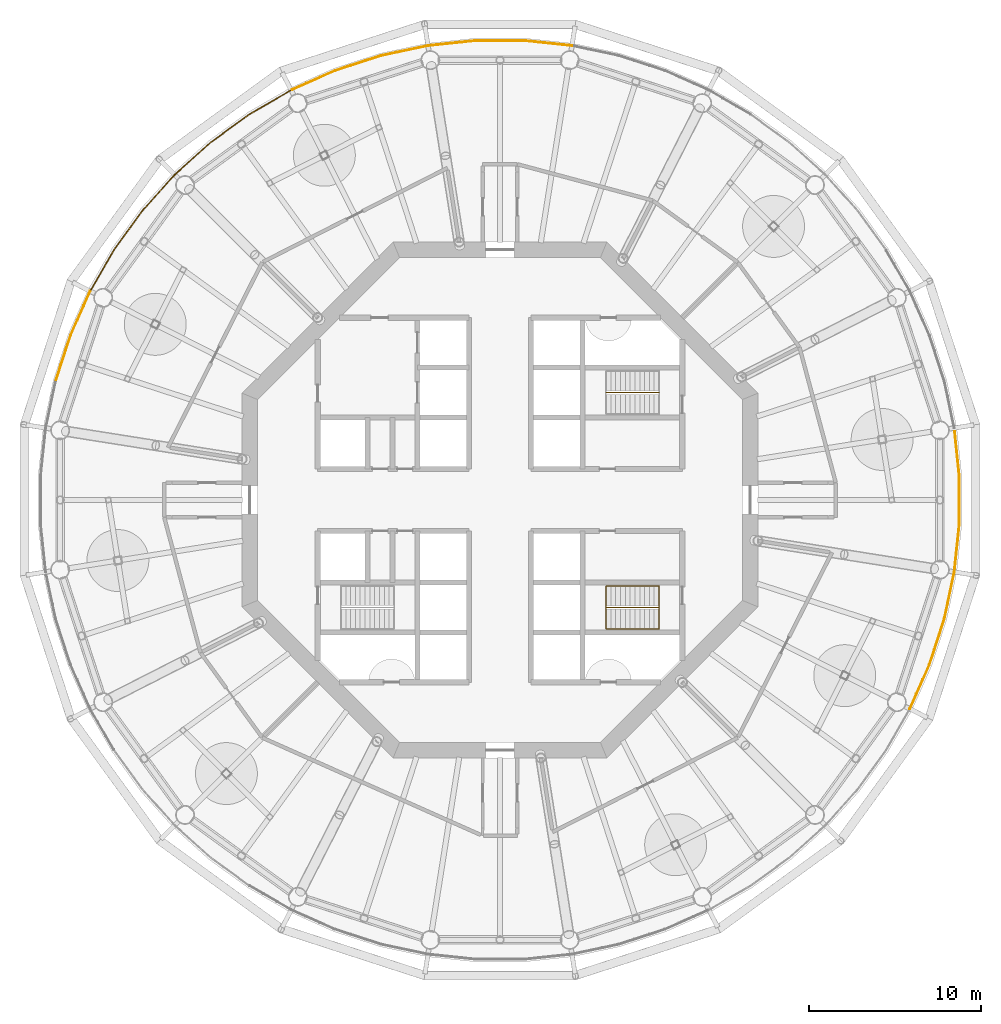
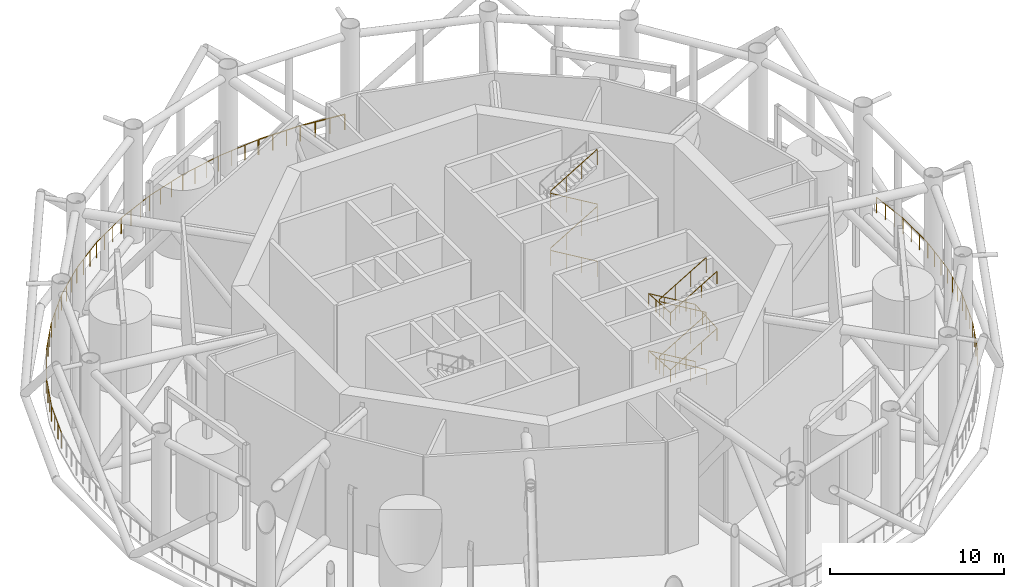
# One storey, part 20 of 22: 13 railings.
"""IFC4 building model written with IfcOpenShell, lengths in metres."""

from ifc_helpers import new_model, si_unit, direction, frame, origin, origin_2d, place, context, subcontext, project, spatial, circle, extrude, material, type_object, element, save


model = new_model("IFC4")

# Units and contexts
model_context = context("Model", 3, precision=1e-05, world=origin(), true_north=direction((0.0, 1.0)))
body_context = subcontext(model_context, "Body", "Model", "MODEL_VIEW")
ifc_project = project(units=[si_unit("LENGTHUNIT", "METRE"), si_unit("AREAUNIT", "SQUARE_METRE"), si_unit("VOLUMEUNIT", "CUBIC_METRE"), si_unit("PLANEANGLEUNIT", "RADIAN"), si_unit("MASSUNIT", "GRAM", prefix="KILO")], contexts=[model_context])

# Site, building, storey
site_placement = place(None, origin())
site = spatial("IfcSite", under=ifc_project, at=site_placement, CompositionType="ELEMENT")
building_placement = place(site_placement, origin())
building = spatial("IfcBuilding", under=site, at=building_placement, Name="Entoto Ring Tower", CompositionType="ELEMENT")
storey_placement = place(building_placement, frame((0.0, 0.0, 230.0)))
storey = spatial("IfcBuildingStorey", under=building, at=storey_placement, Name="L53", CompositionType="ELEMENT", Elevation=230.0)

# Railings
ifc_material_1 = material(Name="Stainless steel 316", Category="steel")
railing_type_1 = type_object("IfcRailingType", Name="Guard 1100 mm steel balustrade, slot floor", PredefinedType="GUARDRAIL", material=ifc_material_1)
railing_1_placement = place(storey_placement, frame((94.1845703125, 106.420654296875, 0.0)))
element("IfcRailing", 1, at=railing_1_placement, inside=storey, type_object=railing_type_1, Name="SLOT FLOOR GUARD 7", PredefinedType="GUARDRAIL", context=body_context, shape_type="SweptSolid", body=[
    extrude(circle(Radius=0.02490234375, at=origin_2d()), frame((0.0, 0.0, 1.0751953125), z_axis=(-0.994520253788, 0.104544080685, 0.0), x_axis=(-0.104544080685, -0.994520253788, 0.0)), (0.0, 0.0, 1.0), 2.800048828125),
    extrude(circle(Radius=0.02490234375, at=origin_2d()), frame((-2.78466796875, 0.292724609375, 1.0751953125), z_axis=(-1.0, 0.0, 0.0), x_axis=(0.0, -1.0, 0.0)), (0.0, 0.0, 1.0), 2.739990234375),
    extrude(circle(Radius=0.02490234375, at=origin_2d()), origin(), (0.0, 0.0, 1.0), 1.050048828125),
    extrude(circle(Radius=0.02490234375, at=origin_2d()), frame((-0.92822265625, 0.09765625, 0.0)), (0.0, 0.0, 1.0), 1.050048828125),
    extrude(circle(Radius=0.02490234375, at=origin_2d()), frame((-1.8564453125, 0.195068359375, 0.0)), (0.0, 0.0, 1.0), 1.050048828125),
    extrude(circle(Radius=0.02490234375, at=origin_2d()), frame((-2.78466796875, 0.292724609375, 0.0)), (0.0, 0.0, 1.0), 1.050048828125),
    extrude(circle(Radius=0.02490234375, at=origin_2d()), frame((-3.697998046875, 0.292724609375, 0.0)), (0.0, 0.0, 1.0), 1.050048828125),
    extrude(circle(Radius=0.02490234375, at=origin_2d()), frame((-4.611328125, 0.292724609375, 0.0)), (0.0, 0.0, 1.0), 1.050048828125),
    extrude(circle(Radius=0.02490234375, at=origin_2d()), frame((-5.524658203125, 0.292724609375, 0.0)), (0.0, 0.0, 1.0), 1.050048828125),
])
railing_2_placement = place(storey_placement, frame((88.60009765625, 106.71337890625, 0.0)))
element("IfcRailing", 2, at=railing_2_placement, inside=storey, type_object=railing_type_1, Name="SLOT FLOOR GUARD 8", PredefinedType="GUARDRAIL", context=body_context, shape_type="SweptSolid", body=[
    extrude(circle(Radius=0.02490234375, at=origin_2d()), frame((0.0, 0.0, 1.0751953125), z_axis=(-0.994520253788, -0.104544080685, 0.0), x_axis=(0.104544080685, -0.994520253788, 0.0)), (0.0, 0.0, 1.0), 2.800048828125),
    extrude(circle(Radius=0.02490234375, at=origin_2d()), frame((-2.78466796875, -0.292724609375, 1.0751953125), z_axis=(-0.978155680503, -0.20787367486, 0.0), x_axis=(0.20787367486, -0.978155680503, 0.0)), (0.0, 0.0, 1.0), 2.739990234375),
    extrude(circle(Radius=0.02490234375, at=origin_2d()), origin(), (0.0, 0.0, 1.0), 1.050048828125),
    extrude(circle(Radius=0.02490234375, at=origin_2d()), frame((-0.92822265625, -0.09765625, 0.0)), (0.0, 0.0, 1.0), 1.050048828125),
    extrude(circle(Radius=0.02490234375, at=origin_2d()), frame((-1.8564453125, -0.195068359375, 0.0)), (0.0, 0.0, 1.0), 1.050048828125),
    extrude(circle(Radius=0.02490234375, at=origin_2d()), frame((-2.78466796875, -0.292724609375, 0.0)), (0.0, 0.0, 1.0), 1.050048828125),
    extrude(circle(Radius=0.02490234375, at=origin_2d()), frame((-3.677978515625, -0.482666015625, 0.0)), (0.0, 0.0, 1.0), 1.050048828125),
    extrude(circle(Radius=0.02490234375, at=origin_2d()), frame((-4.571533203125, -0.67236328125, 0.0)), (0.0, 0.0, 1.0), 1.050048828125),
    extrude(circle(Radius=0.02490234375, at=origin_2d()), frame((-5.46484375, -0.8623046875, 0.0)), (0.0, 0.0, 1.0), 1.050048828125),
])
railing_3_placement = place(storey_placement, frame((83.07666015625, 105.838623046875, 0.0)))
element("IfcRailing", 3, at=railing_3_placement, inside=storey, type_object=railing_type_1, Name="SLOT FLOOR GUARD 9", PredefinedType="GUARDRAIL", context=body_context, shape_type="SweptSolid", body=[
    extrude(circle(Radius=0.02490234375, at=origin_2d()), frame((0.0, 0.0, 1.0751953125), z_axis=(-0.951062257173, -0.308999325213, 0.0), x_axis=(0.308999325213, -0.951062257173, 0.0)), (0.0, 0.0, 1.0), 2.800048828125),
    extrude(circle(Radius=0.02490234375, at=origin_2d()), frame((-2.6630859375, -0.865234375, 1.0751953125), z_axis=(-0.913528388119, -0.406774979688, 0.0), x_axis=(0.406774979688, -0.913528388119, 0.0)), (0.0, 0.0, 1.0), 2.73974609375),
    extrude(circle(Radius=0.02490234375, at=origin_2d()), origin(), (0.0, 0.0, 1.0), 1.050048828125),
    extrude(circle(Radius=0.02490234375, at=origin_2d()), frame((-0.8876953125, -0.288330078125, 0.0)), (0.0, 0.0, 1.0), 1.050048828125),
    extrude(circle(Radius=0.02490234375, at=origin_2d()), frame((-1.775390625, -0.576904296875, 0.0)), (0.0, 0.0, 1.0), 1.050048828125),
    extrude(circle(Radius=0.02490234375, at=origin_2d()), frame((-2.6630859375, -0.865234375, 0.0)), (0.0, 0.0, 1.0), 1.050048828125),
    extrude(circle(Radius=0.02490234375, at=origin_2d()), frame((-3.497314453125, -1.23681640625, 0.0)), (0.0, 0.0, 1.0), 1.050048828125),
    extrude(circle(Radius=0.02490234375, at=origin_2d()), frame((-4.331787109375, -1.608154296875, 0.0)), (0.0, 0.0, 1.0), 1.050048828125),
    extrude(circle(Radius=0.02490234375, at=origin_2d()), frame((-5.166015625, -1.979736328125, 0.0)), (0.0, 0.0, 1.0), 1.050048828125),
])
railing_4_placement = place(storey_placement, frame((77.855712890625, 103.83447265625, 0.0)))
element("IfcRailing", 4, at=railing_4_placement, inside=storey, type_object=railing_type_1, Name="SLOT FLOOR GUARD 10", PredefinedType="GUARDRAIL", context=body_context, shape_type="SweptSolid", body=[
    extrude(circle(Radius=0.02490234375, at=origin_2d()), frame((0.0, 0.0, 1.0751953125), z_axis=(-0.865996816683, -0.500049511043, 0.0), x_axis=(0.500049511043, -0.865996816683, 0.0)), (0.0, 0.0, 1.0), 2.800048828125),
    extrude(circle(Radius=0.02490234375, at=origin_2d()), frame((-2.4248046875, -1.400146484375, 1.0751953125), z_axis=(-0.809059624236, -0.587726572848, 0.0), x_axis=(0.587726572848, -0.809059624236, 0.0)), (0.0, 0.0, 1.0), 2.739990234375),
    extrude(circle(Radius=0.02490234375, at=origin_2d()), origin(), (0.0, 0.0, 1.0), 1.050048828125),
    extrude(circle(Radius=0.02490234375, at=origin_2d()), frame((-0.808349609375, -0.466796875, 0.0)), (0.0, 0.0, 1.0), 1.050048828125),
    extrude(circle(Radius=0.02490234375, at=origin_2d()), frame((-1.616455078125, -0.933349609375, 0.0)), (0.0, 0.0, 1.0), 1.050048828125),
    extrude(circle(Radius=0.02490234375, at=origin_2d()), frame((-2.4248046875, -1.400146484375, 0.0)), (0.0, 0.0, 1.0), 1.050048828125),
    extrude(circle(Radius=0.02490234375, at=origin_2d()), frame((-3.163818359375, -1.93701171875, 0.0)), (0.0, 0.0, 1.0), 1.050048828125),
    extrude(circle(Radius=0.02490234375, at=origin_2d()), frame((-3.902587890625, -2.4736328125, 0.0)), (0.0, 0.0, 1.0), 1.050048828125),
    extrude(circle(Radius=0.02490234375, at=origin_2d()), frame((-4.6416015625, -3.010498046875, 0.0)), (0.0, 0.0, 1.0), 1.050048828125),
])
railing_5_placement = place(storey_placement, frame((73.165771484375, 100.78857421875, 0.0)))
element("IfcRailing", 5, at=railing_5_placement, inside=storey, type_object=railing_type_1, Name="SLOT FLOOR GUARD 11", PredefinedType="GUARDRAIL", context=body_context, shape_type="SweptSolid", body=[
    extrude(circle(Radius=0.02490234375, at=origin_2d()), frame((0.0, 0.0, 1.0751953125), z_axis=(-0.743151054666, -0.66912368808, 0.0), x_axis=(0.66912368808, -0.743151054666, 0.0)), (0.0, 0.0, 1.0), 2.800048828125),
    extrude(circle(Radius=0.02490234375, at=origin_2d()), frame((-2.080810546875, -1.87353515625, 1.0751953125), z_axis=(-0.669161620293, -0.743116899234, 0.0), x_axis=(0.743116899234, -0.669161620293, 0.0)), (0.0, 0.0, 1.0), 2.739990234375),
    extrude(circle(Radius=0.02490234375, at=origin_2d()), origin(), (0.0, 0.0, 1.0), 1.050048828125),
    extrude(circle(Radius=0.02490234375, at=origin_2d()), frame((-0.693603515625, -0.62451171875, 0.0)), (0.0, 0.0, 1.0), 1.050048828125),
    extrude(circle(Radius=0.02490234375, at=origin_2d()), frame((-1.38720703125, -1.2490234375, 0.0)), (0.0, 0.0, 1.0), 1.050048828125),
    extrude(circle(Radius=0.02490234375, at=origin_2d()), frame((-2.080810546875, -1.87353515625, 0.0)), (0.0, 0.0, 1.0), 1.050048828125),
    extrude(circle(Radius=0.02490234375, at=origin_2d()), frame((-2.69189453125, -2.55224609375, 0.0)), (0.0, 0.0, 1.0), 1.050048828125),
    extrude(circle(Radius=0.02490234375, at=origin_2d()), frame((-3.30322265625, -3.23095703125, 0.0)), (0.0, 0.0, 1.0), 1.050048828125),
    extrude(circle(Radius=0.02490234375, at=origin_2d()), frame((-3.914306640625, -3.90966796875, 0.0)), (0.0, 0.0, 1.0), 1.050048828125),
])
railing_6_placement = place(storey_placement, frame((69.21142578125, 96.834228515625, 0.0)))
element("IfcRailing", 6, at=railing_6_placement, inside=storey, type_object=railing_type_1, Name="SLOT FLOOR GUARD 12", PredefinedType="GUARDRAIL", context=body_context, shape_type="SweptSolid", body=[
    extrude(circle(Radius=0.02490234375, at=origin_2d()), frame((0.0, 0.0, 1.0751953125), z_axis=(-0.587793152327, -0.809011254605, 0.0), x_axis=(0.809011254605, -0.587793152327, 0.0)), (0.0, 0.0, 1.0), 2.7998046875),
    extrude(circle(Radius=0.02490234375, at=origin_2d()), frame((-1.645751953125, -2.26513671875, 1.0751953125), z_axis=(-0.500048966069, -0.865997131366, 0.0), x_axis=(0.865997131366, -0.500048966069, 0.0)), (0.0, 0.0, 1.0), 2.739990234375),
    extrude(circle(Radius=0.02490234375, at=origin_2d()), origin(), (0.0, 0.0, 1.0), 1.050048828125),
    extrude(circle(Radius=0.02490234375, at=origin_2d()), frame((-0.548583984375, -0.755126953125, 0.0)), (0.0, 0.0, 1.0), 1.050048828125),
    extrude(circle(Radius=0.02490234375, at=origin_2d()), frame((-1.09716796875, -1.510009765625, 0.0)), (0.0, 0.0, 1.0), 1.050048828125),
    extrude(circle(Radius=0.02490234375, at=origin_2d()), frame((-1.645751953125, -2.26513671875, 0.0)), (0.0, 0.0, 1.0), 1.050048828125),
    extrude(circle(Radius=0.02490234375, at=origin_2d()), frame((-2.1025390625, -3.05615234375, 0.0)), (0.0, 0.0, 1.0), 1.050048828125),
    extrude(circle(Radius=0.02490234375, at=origin_2d()), frame((-2.55908203125, -3.846923828125, 0.0)), (0.0, 0.0, 1.0), 1.050048828125),
    extrude(circle(Radius=0.02490234375, at=origin_2d()), frame((-3.015869140625, -4.637939453125, 0.0)), (0.0, 0.0, 1.0), 1.050048828125),
])
railing_7_placement = place(storey_placement, frame((66.16552734375, 92.144287109375, 0.0)))
element("IfcRailing", 7, at=railing_7_placement, inside=storey, type_object=railing_type_1, Name="SLOT FLOOR GUARD 13", PredefinedType="GUARDRAIL", context=body_context, shape_type="SweptSolid", body=[
    extrude(circle(Radius=0.02490234375, at=origin_2d()), frame((0.0, 0.0, 1.0751953125), z_axis=(-0.406761316386, -0.913534471978, 0.0), x_axis=(0.913534471978, -0.406761316386, 0.0)), (0.0, 0.0, 1.0), 2.800048828125),
    extrude(circle(Radius=0.02490234375, at=origin_2d()), frame((-1.138916015625, -2.557861328125, 1.0751953125), z_axis=(-0.30900145309, -0.951061565824, 0.0), x_axis=(0.951061565824, -0.30900145309, 0.0)), (0.0, 0.0, 1.0), 2.739990234375),
    extrude(circle(Radius=0.02490234375, at=origin_2d()), origin(), (0.0, 0.0, 1.0), 1.050048828125),
    extrude(circle(Radius=0.02490234375, at=origin_2d()), frame((-0.379638671875, -0.8525390625, 0.0)), (0.0, 0.0, 1.0), 1.050048828125),
    extrude(circle(Radius=0.02490234375, at=origin_2d()), frame((-0.75927734375, -1.705322265625, 0.0)), (0.0, 0.0, 1.0), 1.050048828125),
    extrude(circle(Radius=0.02490234375, at=origin_2d()), frame((-1.138916015625, -2.557861328125, 0.0)), (0.0, 0.0, 1.0), 1.050048828125),
    extrude(circle(Radius=0.02490234375, at=origin_2d()), frame((-1.421142578125, -3.426513671875, 0.0)), (0.0, 0.0, 1.0), 1.050048828125),
    extrude(circle(Radius=0.02490234375, at=origin_2d()), frame((-1.703369140625, -4.295166015625, 0.0)), (0.0, 0.0, 1.0), 1.050048828125),
    extrude(circle(Radius=0.02490234375, at=origin_2d()), frame((-1.985595703125, -5.163818359375, 0.0)), (0.0, 0.0, 1.0), 1.050048828125),
])
railing_8_placement = place(storey_placement, frame((113.83447265625, 67.855712890625, 0.0)))
element("IfcRailing", 8, at=railing_8_placement, inside=storey, type_object=railing_type_1, Name="SLOT FLOOR GUARD 28", PredefinedType="GUARDRAIL", context=body_context, shape_type="SweptSolid", body=[
    extrude(circle(Radius=0.02490234375, at=origin_2d()), frame((0.0, 0.0, 1.0751953125), z_axis=(0.406761316386, 0.913534471978, 0.0), x_axis=(-0.913534471978, 0.406761316386, 0.0)), (0.0, 0.0, 1.0), 2.800048828125),
    extrude(circle(Radius=0.02490234375, at=origin_2d()), frame((1.138916015625, 2.557861328125, 1.0751953125), z_axis=(0.30900145309, 0.951061565824, 0.0), x_axis=(-0.951061565824, 0.30900145309, 0.0)), (0.0, 0.0, 1.0), 2.739990234375),
    extrude(circle(Radius=0.02490234375, at=origin_2d()), origin(), (0.0, 0.0, 1.0), 1.050048828125),
    extrude(circle(Radius=0.02490234375, at=origin_2d()), frame((0.379638671875, 0.8525390625, 0.0)), (0.0, 0.0, 1.0), 1.050048828125),
    extrude(circle(Radius=0.02490234375, at=origin_2d()), frame((0.75927734375, 1.705322265625, 0.0)), (0.0, 0.0, 1.0), 1.050048828125),
    extrude(circle(Radius=0.02490234375, at=origin_2d()), frame((1.138916015625, 2.557861328125, 0.0)), (0.0, 0.0, 1.0), 1.050048828125),
    extrude(circle(Radius=0.02490234375, at=origin_2d()), frame((1.421142578125, 3.426513671875, 0.0)), (0.0, 0.0, 1.0), 1.050048828125),
    extrude(circle(Radius=0.02490234375, at=origin_2d()), frame((1.703369140625, 4.295166015625, 0.0)), (0.0, 0.0, 1.0), 1.050048828125),
    extrude(circle(Radius=0.02490234375, at=origin_2d()), frame((1.985595703125, 5.163818359375, 0.0)), (0.0, 0.0, 1.0), 1.050048828125),
])
railing_9_placement = place(storey_placement, frame((115.838623046875, 73.07666015625, 0.0)))
element("IfcRailing", 9, at=railing_9_placement, inside=storey, type_object=railing_type_1, Name="SLOT FLOOR GUARD 29", PredefinedType="GUARDRAIL", context=body_context, shape_type="SweptSolid", body=[
    extrude(circle(Radius=0.02490234375, at=origin_2d()), frame((0.0, 0.0, 1.0751953125), z_axis=(0.207873355681, 0.978155748334, 0.0), x_axis=(-0.978155748334, 0.207873355681, 0.0)), (0.0, 0.0, 1.0), 2.800048828125),
    extrude(circle(Radius=0.02490234375, at=origin_2d()), frame((0.58203125, 2.73876953125, 1.0751953125), z_axis=(0.104522437607, 0.994522528672, 0.0), x_axis=(-0.994522528672, 0.104522437607, 0.0)), (0.0, 0.0, 1.0), 2.73974609375),
    extrude(circle(Radius=0.02490234375, at=origin_2d()), origin(), (0.0, 0.0, 1.0), 1.050048828125),
    extrude(circle(Radius=0.02490234375, at=origin_2d()), frame((0.194091796875, 0.912841796875, 0.0)), (0.0, 0.0, 1.0), 1.050048828125),
    extrude(circle(Radius=0.02490234375, at=origin_2d()), frame((0.387939453125, 1.825927734375, 0.0)), (0.0, 0.0, 1.0), 1.050048828125),
    extrude(circle(Radius=0.02490234375, at=origin_2d()), frame((0.58203125, 2.73876953125, 0.0)), (0.0, 0.0, 1.0), 1.050048828125),
    extrude(circle(Radius=0.02490234375, at=origin_2d()), frame((0.677490234375, 3.64697265625, 0.0)), (0.0, 0.0, 1.0), 1.050048828125),
    extrude(circle(Radius=0.02490234375, at=origin_2d()), frame((0.77294921875, 4.555419921875, 0.0)), (0.0, 0.0, 1.0), 1.050048828125),
    extrude(circle(Radius=0.02490234375, at=origin_2d()), frame((0.868408203125, 5.463623046875, 0.0)), (0.0, 0.0, 1.0), 1.050048828125),
])
railing_10_placement = place(storey_placement, frame((116.71337890625, 78.60009765625, 0.0)))
element("IfcRailing", 10, at=railing_10_placement, inside=storey, type_object=railing_type_1, Name="SLOT FLOOR GUARD 30", PredefinedType="GUARDRAIL", context=body_context, shape_type="SweptSolid", body=[
    extrude(circle(Radius=0.02490234375, at=origin_2d()), frame((0.0, 0.0, 1.0751953125), z_axis=(0.0, 1.0, 0.0), x_axis=(-1.0, 0.0, 0.0)), (0.0, 0.0, 1.0), 2.7998046875),
    extrude(circle(Radius=0.02490234375, at=origin_2d()), frame((0.0, 2.7998046875, 1.0751953125), z_axis=(-0.104513699976, 0.994523446942, 0.0), x_axis=(-0.994523446942, -0.104513699976, 0.0)), (0.0, 0.0, 1.0), 2.599853515625),
    extrude(circle(Radius=0.02490234375, at=origin_2d()), origin(), (0.0, 0.0, 1.0), 1.050048828125),
    extrude(circle(Radius=0.02490234375, at=origin_2d()), frame((0.0, 0.933349609375, 0.0)), (0.0, 0.0, 1.0), 1.050048828125),
    extrude(circle(Radius=0.02490234375, at=origin_2d()), frame((0.0, 1.866455078125, 0.0)), (0.0, 0.0, 1.0), 1.050048828125),
    extrude(circle(Radius=0.02490234375, at=origin_2d()), frame((0.0, 2.7998046875, 0.0)), (0.0, 0.0, 1.0), 1.050048828125),
    extrude(circle(Radius=0.02490234375, at=origin_2d()), frame((-0.090576171875, 3.66162109375, 0.0)), (0.0, 0.0, 1.0), 1.050048828125),
    extrude(circle(Radius=0.02490234375, at=origin_2d()), frame((-0.18115234375, 4.523681640625, 0.0)), (0.0, 0.0, 1.0), 1.050048828125),
    extrude(circle(Radius=0.02490234375, at=origin_2d()), frame((-0.271728515625, 5.385498046875, 0.0)), (0.0, 0.0, 1.0), 1.050048828125),
])
ifc_material_2 = material(Name="Steel S275", Category="steel")
railing_type_2 = type_object("IfcRailingType", Name="Stair guard 1100 mm steel", PredefinedType="GUARDRAIL", material=ifc_material_2)
railing_11_placement = place(storey_placement, frame((99.25, 86.25, 0.166748046875)))
element("IfcRailing", 11, at=railing_11_placement, inside=storey, type_object=railing_type_2, Name="Guard ST1", PredefinedType="GUARDRAIL", context=body_context, shape_type="SweptSolid", body=[
    extrude(circle(Radius=0.02392578125, at=origin_2d()), frame((0.0, 0.0, 1.076171875), z_axis=(-0.859308565015, 0.0, 0.511457515432), x_axis=(0.0, -1.0, 0.0)), (0.0, 0.0, 1.0), 3.58447265625),
    extrude(circle(Radius=0.02392578125, at=origin_2d()), frame((-3.080078125, 0.0, 2.9091796875), z_axis=(0.0, 0.0, 1.0), x_axis=(1.0, 0.0, 0.0)), (0.0, 0.0, 1.0), 0.166748046875),
    extrude(circle(Radius=0.02392578125, at=origin_2d()), frame((-3.080078125, 0.0, 3.076171875), z_axis=(0.859308565015, 0.0, 0.511457515432), x_axis=(0.0, 1.0, 0.0)), (0.0, 0.0, 1.0), 3.58447265625),
    extrude(circle(Radius=0.02392578125, at=origin_2d()), frame((0.0, 0.0, 4.9091796875), z_axis=(0.0, 0.0, 1.0), x_axis=(1.0, 0.0, 0.0)), (0.0, 0.0, 1.0), 0.166748046875),
    extrude(circle(Radius=0.02392578125, at=origin_2d()), frame((0.0, 0.0, 5.076171875), z_axis=(-0.859308565015, 0.0, 0.511457515432), x_axis=(0.0, -1.0, 0.0)), (0.0, 0.0, 1.0), 3.58447265625),
    extrude(circle(Radius=0.02392578125, at=origin_2d()), frame((-3.080078125, 0.0, 6.9091796875), z_axis=(0.0, 0.0, 1.0), x_axis=(1.0, 0.0, 0.0)), (0.0, 0.0, 1.0), 0.166748046875),
    extrude(circle(Radius=0.02392578125, at=origin_2d()), frame((-3.080078125, 0.0, 7.076171875), z_axis=(0.859308565015, 0.0, 0.511457515432), x_axis=(0.0, 1.0, 0.0)), (0.0, 0.0, 1.0), 3.58447265625),
    extrude(circle(Radius=0.02099609375, at=origin_2d()), origin(), (0.0, 0.0, 1.0), 1.052001953125),
    extrude(circle(Radius=0.02099609375, at=origin_2d()), frame((-1.026611328125, 0.0, 0.611083984375)), (0.0, 0.0, 1.0), 1.052001953125),
    extrude(circle(Radius=0.02099609375, at=origin_2d()), frame((-2.053466796875, 0.0, 1.22216796875)), (0.0, 0.0, 1.0), 1.052001953125),
    extrude(circle(Radius=0.02099609375, at=origin_2d()), frame((-3.080078125, 0.0, 1.833251953125)), (0.0, 0.0, 1.0), 1.052001953125),
    extrude(circle(Radius=0.02099609375, at=origin_2d()), frame((-3.080078125, 0.0, 2.0)), (0.0, 0.0, 1.0), 1.052001953125),
    extrude(circle(Radius=0.02099609375, at=origin_2d()), frame((-2.053466796875, 0.0, 2.611083984375)), (0.0, 0.0, 1.0), 1.052001953125),
    extrude(circle(Radius=0.02099609375, at=origin_2d()), frame((-1.026611328125, 0.0, 3.22216796875)), (0.0, 0.0, 1.0), 1.052001953125),
    extrude(circle(Radius=0.02099609375, at=origin_2d()), frame((0.0, 0.0, 3.833251953125)), (0.0, 0.0, 1.0), 1.052001953125),
    extrude(circle(Radius=0.02099609375, at=origin_2d()), frame((0.0, 0.0, 4.0)), (0.0, 0.0, 1.0), 1.052001953125),
    extrude(circle(Radius=0.02099609375, at=origin_2d()), frame((-1.026611328125, 0.0, 4.611083984375)), (0.0, 0.0, 1.0), 1.052001953125),
    extrude(circle(Radius=0.02099609375, at=origin_2d()), frame((-2.053466796875, 0.0, 5.22216796875)), (0.0, 0.0, 1.0), 1.052001953125),
    extrude(circle(Radius=0.02099609375, at=origin_2d()), frame((-3.080078125, 0.0, 5.833251953125)), (0.0, 0.0, 1.0), 1.052001953125),
    extrude(circle(Radius=0.02099609375, at=origin_2d()), frame((-3.080078125, 0.0, 6.0)), (0.0, 0.0, 1.0), 1.052001953125),
    extrude(circle(Radius=0.02099609375, at=origin_2d()), frame((-2.053466796875, 0.0, 6.611083984375)), (0.0, 0.0, 1.0), 1.052001953125),
    extrude(circle(Radius=0.02099609375, at=origin_2d()), frame((-1.026611328125, 0.0, 7.22216796875)), (0.0, 0.0, 1.0), 1.052001953125),
    extrude(circle(Radius=0.02099609375, at=origin_2d()), frame((0.0, 0.0, 7.833251953125)), (0.0, 0.0, 1.0), 1.052001953125),
])
railing_12_placement = place(storey_placement, frame((99.25, 73.75, 0.166748046875)))
element("IfcRailing", 12, at=railing_12_placement, inside=storey, type_object=railing_type_2, Name="Guard ST3", PredefinedType="GUARDRAIL", context=body_context, shape_type="SweptSolid", body=[
    extrude(circle(Radius=0.02392578125, at=origin_2d()), frame((0.0, 0.0, 1.076171875), z_axis=(-0.859308565015, 0.0, 0.511457515432), x_axis=(0.0, -1.0, 0.0)), (0.0, 0.0, 1.0), 3.58447265625),
    extrude(circle(Radius=0.02392578125, at=origin_2d()), frame((-3.080078125, 0.0, 2.9091796875), z_axis=(0.0, 0.0, 1.0), x_axis=(1.0, 0.0, 0.0)), (0.0, 0.0, 1.0), 0.166748046875),
    extrude(circle(Radius=0.02392578125, at=origin_2d()), frame((-3.080078125, 0.0, 3.076171875), z_axis=(0.859308565015, 0.0, 0.511457515432), x_axis=(0.0, 1.0, 0.0)), (0.0, 0.0, 1.0), 3.58447265625),
    extrude(circle(Radius=0.02392578125, at=origin_2d()), frame((0.0, 0.0, 4.9091796875), z_axis=(0.0, 0.0, 1.0), x_axis=(1.0, 0.0, 0.0)), (0.0, 0.0, 1.0), 0.166748046875),
    extrude(circle(Radius=0.02392578125, at=origin_2d()), frame((0.0, 0.0, 5.076171875), z_axis=(-0.859308565015, 0.0, 0.511457515432), x_axis=(0.0, -1.0, 0.0)), (0.0, 0.0, 1.0), 3.58447265625),
    extrude(circle(Radius=0.02392578125, at=origin_2d()), frame((-3.080078125, 0.0, 6.9091796875), z_axis=(0.0, 0.0, 1.0), x_axis=(1.0, 0.0, 0.0)), (0.0, 0.0, 1.0), 0.166748046875),
    extrude(circle(Radius=0.02392578125, at=origin_2d()), frame((-3.080078125, 0.0, 7.076171875), z_axis=(0.859308565015, 0.0, 0.511457515432), x_axis=(0.0, 1.0, 0.0)), (0.0, 0.0, 1.0), 3.58447265625),
    extrude(circle(Radius=0.02099609375, at=origin_2d()), origin(), (0.0, 0.0, 1.0), 1.052001953125),
    extrude(circle(Radius=0.02099609375, at=origin_2d()), frame((-1.026611328125, 0.0, 0.611083984375)), (0.0, 0.0, 1.0), 1.052001953125),
    extrude(circle(Radius=0.02099609375, at=origin_2d()), frame((-2.053466796875, 0.0, 1.22216796875)), (0.0, 0.0, 1.0), 1.052001953125),
    extrude(circle(Radius=0.02099609375, at=origin_2d()), frame((-3.080078125, 0.0, 1.833251953125)), (0.0, 0.0, 1.0), 1.052001953125),
    extrude(circle(Radius=0.02099609375, at=origin_2d()), frame((-3.080078125, 0.0, 2.0)), (0.0, 0.0, 1.0), 1.052001953125),
    extrude(circle(Radius=0.02099609375, at=origin_2d()), frame((-2.053466796875, 0.0, 2.611083984375)), (0.0, 0.0, 1.0), 1.052001953125),
    extrude(circle(Radius=0.02099609375, at=origin_2d()), frame((-1.026611328125, 0.0, 3.22216796875)), (0.0, 0.0, 1.0), 1.052001953125),
    extrude(circle(Radius=0.02099609375, at=origin_2d()), frame((0.0, 0.0, 3.833251953125)), (0.0, 0.0, 1.0), 1.052001953125),
    extrude(circle(Radius=0.02099609375, at=origin_2d()), frame((0.0, 0.0, 4.0)), (0.0, 0.0, 1.0), 1.052001953125),
    extrude(circle(Radius=0.02099609375, at=origin_2d()), frame((-1.026611328125, 0.0, 4.611083984375)), (0.0, 0.0, 1.0), 1.052001953125),
    extrude(circle(Radius=0.02099609375, at=origin_2d()), frame((-2.053466796875, 0.0, 5.22216796875)), (0.0, 0.0, 1.0), 1.052001953125),
    extrude(circle(Radius=0.02099609375, at=origin_2d()), frame((-3.080078125, 0.0, 5.833251953125)), (0.0, 0.0, 1.0), 1.052001953125),
    extrude(circle(Radius=0.02099609375, at=origin_2d()), frame((-3.080078125, 0.0, 6.0)), (0.0, 0.0, 1.0), 1.052001953125),
    extrude(circle(Radius=0.02099609375, at=origin_2d()), frame((-2.053466796875, 0.0, 6.611083984375)), (0.0, 0.0, 1.0), 1.052001953125),
    extrude(circle(Radius=0.02099609375, at=origin_2d()), frame((-1.026611328125, 0.0, 7.22216796875)), (0.0, 0.0, 1.0), 1.052001953125),
    extrude(circle(Radius=0.02099609375, at=origin_2d()), frame((0.0, 0.0, 7.833251953125)), (0.0, 0.0, 1.0), 1.052001953125),
])
ifc_material_3 = material(Name="Steel S275", Category="steel")
railing_type_3 = type_object("IfcRailingType", Name="Stair handrail 900 mm steel", PredefinedType="HANDRAIL", material=ifc_material_3)
railing_13_placement = place(storey_placement, frame((99.25, 75.0, 0.166748046875)))
element("IfcRailing", 13, at=railing_13_placement, inside=storey, type_object=railing_type_3, Name="Handrail ST3", PredefinedType="HANDRAIL", context=body_context, shape_type="SweptSolid", body=[
    extrude(circle(Radius=0.02392578125, at=origin_2d()), frame((0.0, 0.0, 0.8759765625), z_axis=(-0.859308565015, 0.0, 0.511457515432), x_axis=(0.0, -1.0, 0.0)), (0.0, 0.0, 1.0), 3.58447265625),
    extrude(circle(Radius=0.02392578125, at=origin_2d()), frame((-3.080078125, 0.0, 2.708984375), z_axis=(0.0, -0.997783001586, 0.066551346688), x_axis=(1.0, 0.0, 0.0)), (0.0, 0.0, 1.0), 2.505615234375),
    extrude(circle(Radius=0.02392578125, at=origin_2d()), frame((-3.080078125, -2.5, 2.8759765625), z_axis=(0.859308565015, 0.0, 0.511457515432), x_axis=(0.0, 1.0, 0.0)), (0.0, 0.0, 1.0), 3.58447265625),
    extrude(circle(Radius=0.02392578125, at=origin_2d()), frame((0.0, -2.5, 4.708984375), z_axis=(0.0, 0.997783001586, 0.066551346688), x_axis=(-1.0, 0.0, 0.0)), (0.0, 0.0, 1.0), 2.505615234375),
    extrude(circle(Radius=0.02392578125, at=origin_2d()), frame((0.0, 0.0, 4.8759765625), z_axis=(-0.859308565015, 0.0, 0.511457515432), x_axis=(0.0, -1.0, 0.0)), (0.0, 0.0, 1.0), 3.58447265625),
    extrude(circle(Radius=0.02392578125, at=origin_2d()), frame((-3.080078125, 0.0, 6.708984375), z_axis=(0.0, -0.997783001586, 0.066551346688), x_axis=(1.0, 0.0, 0.0)), (0.0, 0.0, 1.0), 2.505615234375),
    extrude(circle(Radius=0.02392578125, at=origin_2d()), frame((-3.080078125, -2.5, 6.8759765625), z_axis=(0.859308565015, 0.0, 0.511457515432), x_axis=(0.0, 1.0, 0.0)), (0.0, 0.0, 1.0), 3.58447265625),
    extrude(circle(Radius=0.02099609375, at=origin_2d()), origin(), (0.0, 0.0, 1.0), 0.851806640625),
    extrude(circle(Radius=0.02099609375, at=origin_2d()), frame((-1.026611328125, 0.0, 0.611083984375)), (0.0, 0.0, 1.0), 0.851806640625),
    extrude(circle(Radius=0.02099609375, at=origin_2d()), frame((-2.053466796875, 0.0, 1.22216796875)), (0.0, 0.0, 1.0), 0.851806640625),
    extrude(circle(Radius=0.02099609375, at=origin_2d()), frame((-3.080078125, 0.0, 1.833251953125)), (0.0, 0.0, 1.0), 0.851806640625),
    extrude(circle(Radius=0.02099609375, at=origin_2d()), frame((-3.080078125, -0.833251953125, 1.888916015625)), (0.0, 0.0, 1.0), 0.851806640625),
    extrude(circle(Radius=0.02099609375, at=origin_2d()), frame((-3.080078125, -1.666748046875, 1.9443359375)), (0.0, 0.0, 1.0), 0.851806640625),
    extrude(circle(Radius=0.02099609375, at=origin_2d()), frame((-3.080078125, -2.5, 2.0)), (0.0, 0.0, 1.0), 0.851806640625),
    extrude(circle(Radius=0.02099609375, at=origin_2d()), frame((-2.053466796875, -2.5, 2.611083984375)), (0.0, 0.0, 1.0), 0.851806640625),
    extrude(circle(Radius=0.02099609375, at=origin_2d()), frame((-1.026611328125, -2.5, 3.22216796875)), (0.0, 0.0, 1.0), 0.851806640625),
    extrude(circle(Radius=0.02099609375, at=origin_2d()), frame((0.0, -2.5, 3.833251953125)), (0.0, 0.0, 1.0), 0.851806640625),
    extrude(circle(Radius=0.02099609375, at=origin_2d()), frame((0.0, -1.666748046875, 3.888916015625)), (0.0, 0.0, 1.0), 0.851806640625),
    extrude(circle(Radius=0.02099609375, at=origin_2d()), frame((0.0, -0.833251953125, 3.9443359375)), (0.0, 0.0, 1.0), 0.851806640625),
    extrude(circle(Radius=0.02099609375, at=origin_2d()), frame((0.0, 0.0, 4.0)), (0.0, 0.0, 1.0), 0.851806640625),
    extrude(circle(Radius=0.02099609375, at=origin_2d()), frame((-1.026611328125, 0.0, 4.611083984375)), (0.0, 0.0, 1.0), 0.851806640625),
    extrude(circle(Radius=0.02099609375, at=origin_2d()), frame((-2.053466796875, 0.0, 5.22216796875)), (0.0, 0.0, 1.0), 0.851806640625),
    extrude(circle(Radius=0.02099609375, at=origin_2d()), frame((-3.080078125, 0.0, 5.833251953125)), (0.0, 0.0, 1.0), 0.851806640625),
    extrude(circle(Radius=0.02099609375, at=origin_2d()), frame((-3.080078125, -0.833251953125, 5.888916015625)), (0.0, 0.0, 1.0), 0.851806640625),
    extrude(circle(Radius=0.02099609375, at=origin_2d()), frame((-3.080078125, -1.666748046875, 5.9443359375)), (0.0, 0.0, 1.0), 0.851806640625),
    extrude(circle(Radius=0.02099609375, at=origin_2d()), frame((-3.080078125, -2.5, 6.0)), (0.0, 0.0, 1.0), 0.851806640625),
    extrude(circle(Radius=0.02099609375, at=origin_2d()), frame((-2.053466796875, -2.5, 6.611083984375)), (0.0, 0.0, 1.0), 0.851806640625),
    extrude(circle(Radius=0.02099609375, at=origin_2d()), frame((-1.026611328125, -2.5, 7.22216796875)), (0.0, 0.0, 1.0), 0.851806640625),
    extrude(circle(Radius=0.02099609375, at=origin_2d()), frame((0.0, -2.5, 7.833251953125)), (0.0, 0.0, 1.0), 0.851806640625),
])

save(model, "model.ifc")
